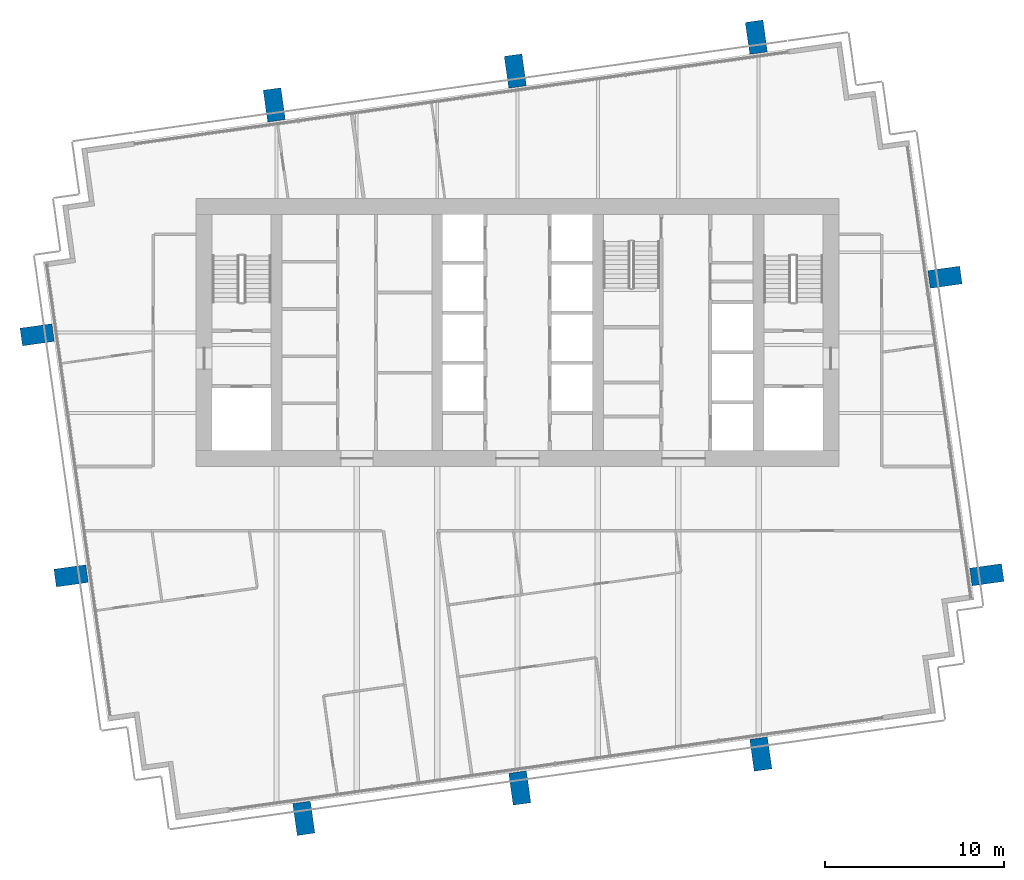
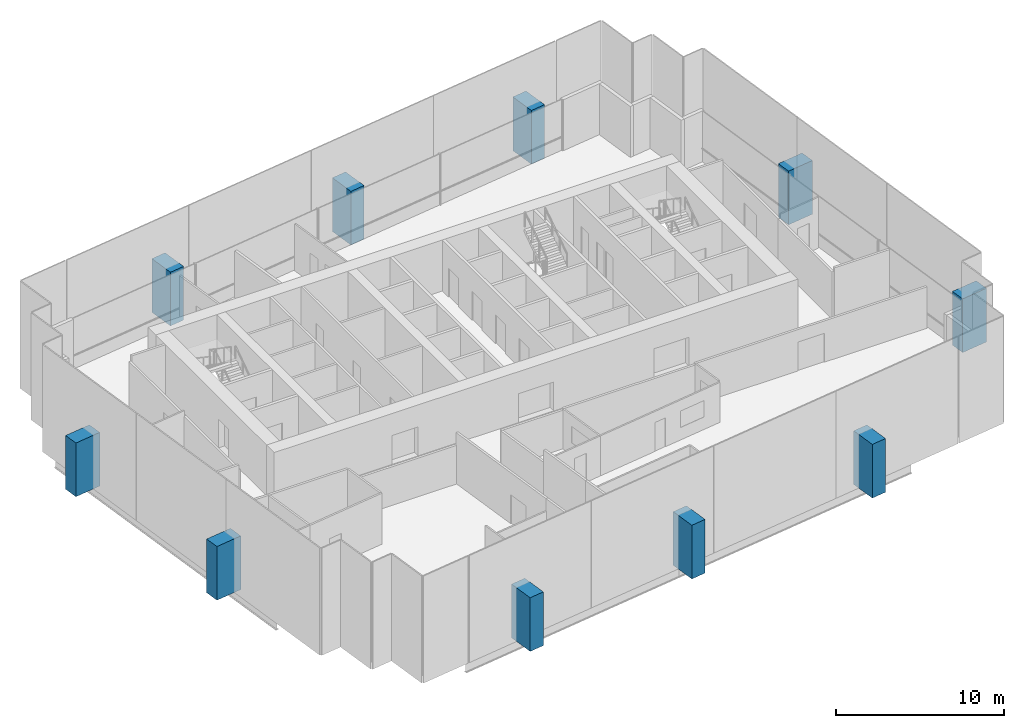
# One storey, part 1 of 15: 10 columns.
"""IFC4 building model written with IfcOpenShell, lengths in metres."""

from ifc_helpers import new_model, si_unit, direction, frame, origin, origin_2d, place, context, subcontext, project, spatial, rectangle, extrude, material, material_profile, profile_set, type_object, element, save


model = new_model("IFC4")

# Units and contexts
model_context = context("Model", 3, precision=1e-05, world=origin(), true_north=direction((0.0, 1.0)))
body_context = subcontext(model_context, "Body", "Model", "MODEL_VIEW")
ifc_project = project(units=[si_unit("LENGTHUNIT", "METRE"), si_unit("AREAUNIT", "SQUARE_METRE"), si_unit("VOLUMEUNIT", "CUBIC_METRE"), si_unit("PLANEANGLEUNIT", "RADIAN"), si_unit("MASSUNIT", "GRAM", prefix="KILO")], contexts=[model_context])

# Site, building, storey
site_placement = place(None, origin())
site = spatial("IfcSite", under=ifc_project, at=site_placement, CompositionType="ELEMENT")
building_placement = place(site_placement, origin())
building = spatial("IfcBuilding", under=site, at=building_placement, Name="Rattan Terrace Tower", CompositionType="ELEMENT")
storey_placement = place(building_placement, frame((0.0, 0.0, 255.10009765625)))
storey = spatial("IfcBuildingStorey", under=building, at=storey_placement, Name="L58", CompositionType="ELEMENT", Elevation=255.10009765625)

# Columns
ifc_material = material(Name="Concrete C40/50", Category="concrete")
ifc_material_profile = material_profile(ifc_material, rectangle(XDim=1.0, YDim=1.800048828125, at=origin_2d()), Name="CFT 1800x1000")
ifc_profile_set = profile_set([ifc_material_profile], Name="Concrete C40/50")
column_type = type_object("IfcColumnType", Name="Frame exoskeleton column CFT 1800x1000", PredefinedType="COLUMN", material=ifc_profile_set)
for number, where, z_axis, x_axis, name in (
    (1, (-11.970947265625, -27.208984375, -0.2001953125), (0.0, 0.0, 1.0), (0.990265639562, 0.139190384377, 0.0), "exo-L58-001"),
    (2, (0.125, -25.508056640625, -0.2001953125), (0.0, 0.0, 1.0), (0.990265639562, 0.139190384377, 0.0), "exo-L58-002"),
    (3, (13.625, -23.610107421875, -0.2001953125), (0.0, 0.0, 1.0), (0.990265639562, 0.139190384377, 0.0), "exo-L58-003"),
    (4, (-25.007080078125, -13.625, -0.2001953125), (0.0, 0.0, 1.0), (-0.139190384377, 0.990265639562, 0.0), "exo-L58-004"),
    (5, (26.283935546875, -13.56494140625, -0.2001953125), (0.0, 0.0, 1.0), (-0.139190384377, 0.990265639562, 0.0), "exo-L58-005"),
    (6, (-26.906005859375, -0.125, -0.2001953125), (0.0, 0.0, 1.0), (-0.139190384377, 0.990265639562, 0.0), "exo-L58-006"),
    (7, (23.94091796875, 3.10009765625, -0.2001953125), (0.0, 0.0, 1.0), (-0.139190384377, 0.990265639562, 0.0), "exo-L58-007"),
    (8, (-13.625, 12.7509765625, -0.2001953125), (0.0, 0.0, 1.0), (0.990265639562, 0.139190384377, 0.0), "exo-L58-008"),
    (9, (-0.125, 14.64794921875, -0.2001953125), (0.0, 0.0, 1.0), (0.990265639562, 0.139190384377, 0.0), "exo-L58-009"),
    (10, (13.375, 16.5458984375, -0.2001953125), (0.0, 0.0, 1.0), (0.990265639562, 0.139190384377, 0.0), "exo-L58-010"),
):
    element("IfcColumn", number, at=place(storey_placement, frame(where, z_axis=z_axis, x_axis=x_axis)), inside=storey, type_object=column_type, Name=name, PredefinedType="COLUMN", context=body_context, shape_type="SweptSolid", body=[
        extrude(rectangle(XDim=1.0, YDim=1.800048828125, at=origin_2d()), origin(), (0.0, 0.0, 1.0), 3.900146484375),
    ])

save(model, "model.ifc")
